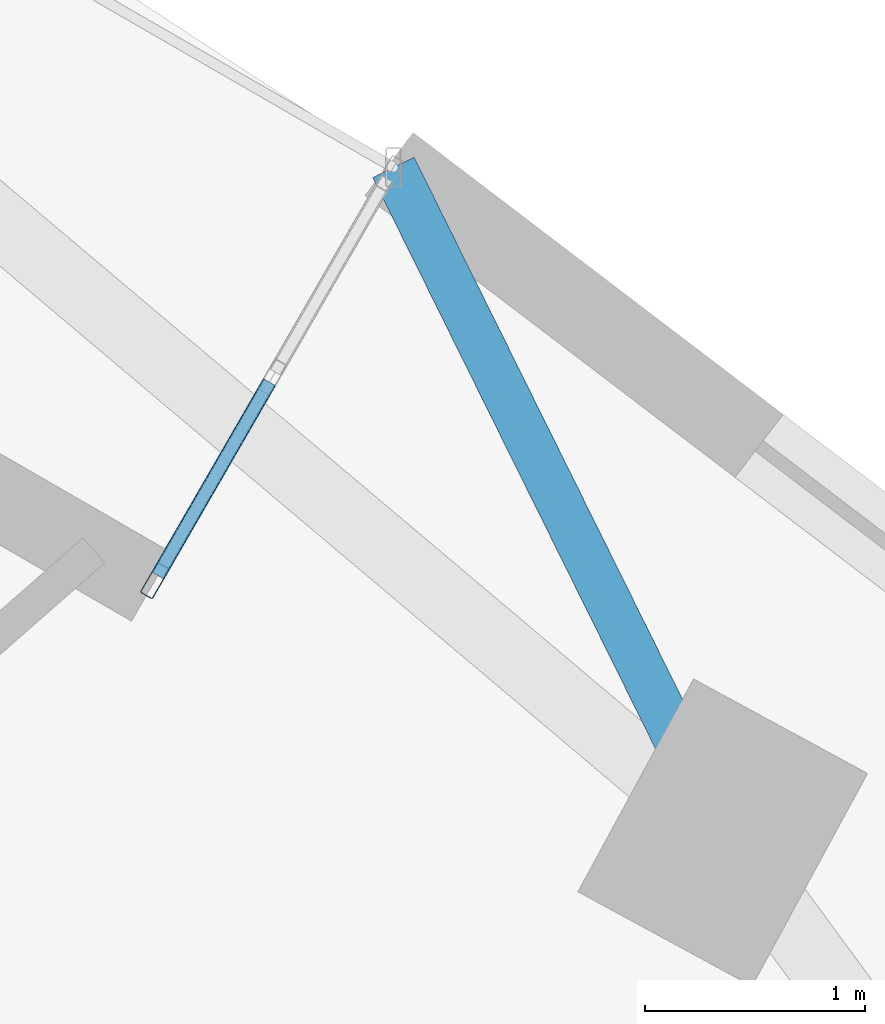
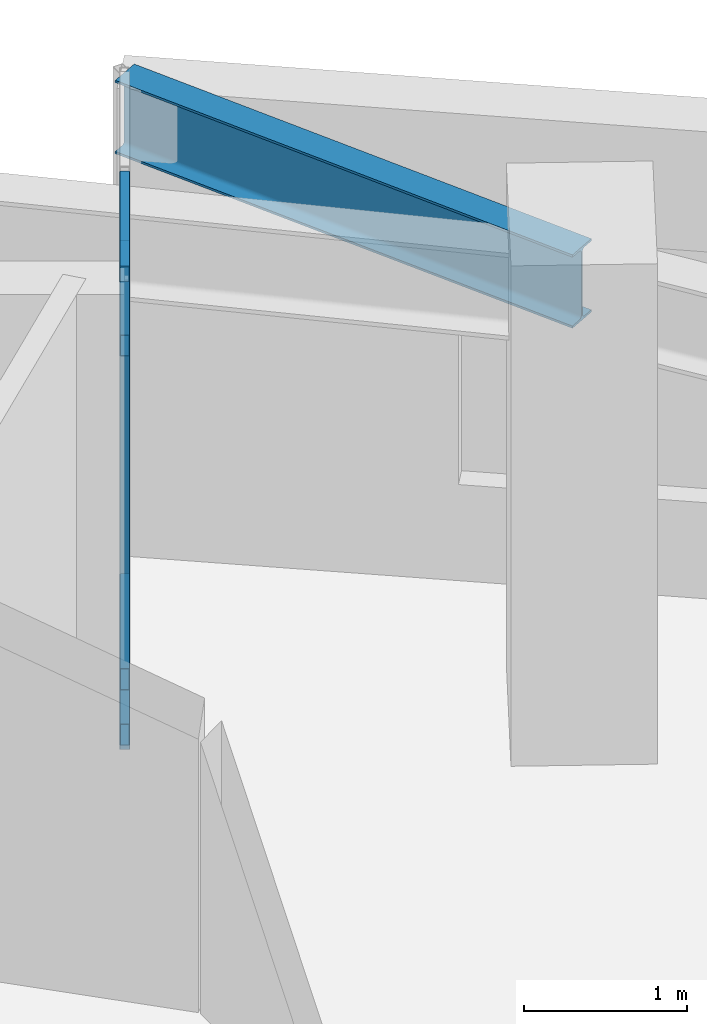
# One storey, part 2 of 14: 5 members, 1 beam, 1 element without a shape of its own.
"""IFC4 building model written with IfcOpenShell, lengths in metres."""

from ifc_helpers import new_model, si_unit, direction, frame, origin, origin_2d, place, context, subcontext, project, spatial, hollow_rectangle, i_section, extrude, material, layer, layer_set, material_profile, profile_set, type_object, element, aggregate, save


model = new_model("IFC4")

# Units and contexts
model_context = context("Model", 3, precision=1e-05, world=origin(), true_north=direction((0.0, 1.0)))
body_context = subcontext(model_context, "Body", "Model", "MODEL_VIEW")
ifc_project = project(units=[si_unit("LENGTHUNIT", "METRE"), si_unit("AREAUNIT", "SQUARE_METRE"), si_unit("VOLUMEUNIT", "CUBIC_METRE"), si_unit("PLANEANGLEUNIT", "RADIAN"), si_unit("MASSUNIT", "GRAM", prefix="KILO")], contexts=[model_context])

# Site, building, storey
site_placement = place(None, origin())
site = spatial("IfcSite", under=ifc_project, at=site_placement, CompositionType="ELEMENT")
building_placement = place(site_placement, origin())
building = spatial("IfcBuilding", under=site, at=building_placement, Name="Ndelora Gate Hotel", CompositionType="ELEMENT")
storey_placement = place(building_placement, frame((0.0, 0.0, 127.25)))
storey = spatial("IfcBuildingStorey", under=building, at=storey_placement, Name="L31", CompositionType="ELEMENT", Elevation=127.25)

# Beam
ifc_material_1 = material(Name="Steel S355", Category="steel")
ifc_material_profile_1 = material_profile(ifc_material_1, i_section(OverallWidth=0.2099609375, OverallDepth=0.550048828125, WebThickness=0.010986328125, FlangeThickness=0.01708984375, FilletRadius=0.02392578125, at=origin_2d()), Name="IPE 550")
ifc_profile_set_1 = profile_set([ifc_material_profile_1], Name="Steel S355")
beam_type = type_object("IfcBeamType", Name="BM-RAD-550", PredefinedType="BEAM", material=ifc_profile_set_1)
beam_placement = place(storey_placement, frame((14.30712890625, 8.767333984375, 3.22509765625), z_axis=(-0.44364812244, 0.896201061959, 0.0), x_axis=(-0.896201061959, -0.44364812244, 0.0)))
element("IfcBeam", 1, at=beam_placement, inside=storey, type_object=beam_type, Name="L31 Sky-Garden Loggia Column Bracket 1", PredefinedType="BEAM", context=body_context, shape_type="SweptSolid", body=[
    extrude(i_section(OverallWidth=0.2099609375, OverallDepth=0.550048828125, WebThickness=0.010986328125, FlangeThickness=0.01708984375, FilletRadius=0.02392578125, at=origin_2d()), origin(), (0.0, 0.0, 1.0), 3.372314453125),
])

# Curtain wall, members
ifc_material_2 = material(Name="Bronze Anodised Unitised Aluminium and Low-E Glass", Category="aluminium")
ifc_layer = layer(ifc_material_2, 0.199951171875)
ifc_layer_set = layer_set([ifc_layer], Name="Bronze Anodised Unitised Aluminium and Low-E Glass")
curtain_wall_type = type_object("IfcCurtainWallType", Name="CW-SYS-3", PredefinedType="NOTDEFINED", material=ifc_layer_set)
curtain_wall_placement = place(storey_placement, origin())
curtain_wall = element("IfcCurtainWall", 2, at=curtain_wall_placement, inside=storey, type_object=curtain_wall_type, Name="L31 Sky-Garden Loggia Side Curtain Wall CW3-1", PredefinedType="NOTDEFINED")
ifc_material_3 = material(Name="Bronze Anodised Aluminium 6063-T6", Category="aluminium")
ifc_material_profile_2 = material_profile(ifc_material_3, hollow_rectangle(XDim=0.06494140625, YDim=0.159912109375, WallThickness=0.00390625, InnerFilletRadius=0.00390625, OuterFilletRadius=0.008056640625, at=origin_2d()), Name="ALU 160x65x4")
ifc_profile_set_2 = profile_set([ifc_material_profile_2], Name="Bronze Anodised Aluminium 6063-T6")
member_type_1 = type_object("IfcMemberType", Name="MB-CW-MUL150", PredefinedType="MULLION", material=ifc_profile_set_2)
member_1_placement = place(storey_placement, frame((11.727294921875, 9.912353515625, -0.00390625), z_axis=(0.0, 0.0, 1.0), x_axis=(-0.866019052627, 0.500011000366, 0.0)))
member_1 = element("IfcMember", 3, at=member_1_placement, type_object=member_type_1, Name="CW3 mullion 1", PredefinedType="MULLION", context=body_context, shape_type="SweptSolid", body=[
    extrude(hollow_rectangle(XDim=0.06494140625, YDim=0.159912109375, WallThickness=0.00390625, InnerFilletRadius=0.00390625, OuterFilletRadius=0.008056640625, at=origin_2d()), origin(), (0.0, 0.0, 1.0), 3.5078125),
])
ifc_material_profile_3 = material_profile(ifc_material_3, hollow_rectangle(XDim=0.06494140625, YDim=0.159912109375, WallThickness=0.00390625, InnerFilletRadius=0.00390625, OuterFilletRadius=0.008056640625, at=origin_2d()), Name="ALU 160x65x4")
ifc_profile_set_3 = profile_set([ifc_material_profile_3], Name="Bronze Anodised Aluminium 6063-T6")
member_type_2 = type_object("IfcMemberType", Name="MB-CW-TRN150", PredefinedType="USERDEFINED", material=ifc_profile_set_3)
member_2_placement = place(storey_placement, frame((11.74072265625, 9.935302734375, 0.032470703125), z_axis=(0.499840506035, 0.866117468088, 0.0), x_axis=(-0.866117468088, 0.499840506035, 0.0)))
member_2 = element("IfcMember", 4, at=member_2_placement, type_object=member_type_2, Name="CW3 transom 1.1", ObjectType="TRANSOM", PredefinedType="USERDEFINED", context=body_context, shape_type="SweptSolid", body=[
    extrude(hollow_rectangle(XDim=0.06494140625, YDim=0.159912109375, WallThickness=0.00390625, InnerFilletRadius=0.00390625, OuterFilletRadius=0.008056640625, at=origin_2d()), origin(), (0.0, 0.0, 1.0), 1.014404296875),
])
member_3_placement = place(storey_placement, frame((11.74072265625, 9.935302734375, 0.449951171875), z_axis=(0.499840506035, 0.866117468088, 0.0), x_axis=(-0.866117468088, 0.499840506035, 0.0)))
member_3 = element("IfcMember", 5, at=member_3_placement, type_object=member_type_2, Name="CW3 transom 1.2", ObjectType="TRANSOM", PredefinedType="USERDEFINED", context=body_context, shape_type="SweptSolid", body=[
    extrude(hollow_rectangle(XDim=0.06494140625, YDim=0.159912109375, WallThickness=0.00390625, InnerFilletRadius=0.00390625, OuterFilletRadius=0.008056640625, at=origin_2d()), origin(), (0.0, 0.0, 1.0), 1.014404296875),
])
member_4_placement = place(storey_placement, frame((11.74072265625, 9.935302734375, 2.949951171875), z_axis=(0.499840506035, 0.866117468088, 0.0), x_axis=(-0.866117468088, 0.499840506035, 0.0)))
member_4 = element("IfcMember", 6, at=member_4_placement, type_object=member_type_2, Name="CW3 transom 1.3", ObjectType="TRANSOM", PredefinedType="USERDEFINED", context=body_context, shape_type="SweptSolid", body=[
    extrude(hollow_rectangle(XDim=0.06494140625, YDim=0.159912109375, WallThickness=0.00390625, InnerFilletRadius=0.00390625, OuterFilletRadius=0.008056640625, at=origin_2d()), origin(), (0.0, 0.0, 1.0), 1.014404296875),
])
member_5_placement = place(storey_placement, frame((11.74072265625, 9.935302734375, 3.467529296875), z_axis=(0.499840506035, 0.866117468088, 0.0), x_axis=(-0.866117468088, 0.499840506035, 0.0)))
member_5 = element("IfcMember", 7, at=member_5_placement, type_object=member_type_2, Name="CW3 transom 1.4", ObjectType="TRANSOM", PredefinedType="USERDEFINED", context=body_context, shape_type="SweptSolid", body=[
    extrude(hollow_rectangle(XDim=0.06494140625, YDim=0.159912109375, WallThickness=0.00390625, InnerFilletRadius=0.00390625, OuterFilletRadius=0.008056640625, at=origin_2d()), origin(), (0.0, 0.0, 1.0), 1.014404296875),
])
aggregate(curtain_wall, [member_1, member_2, member_3, member_4, member_5])

save(model, "model.ifc")
